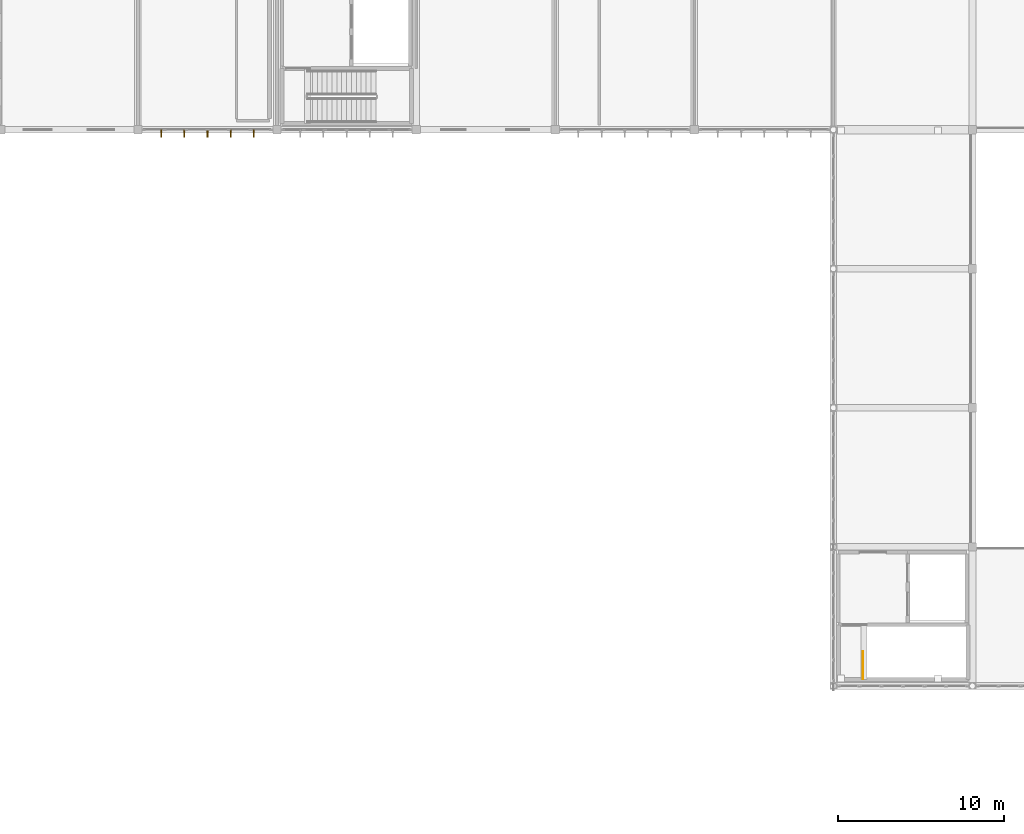
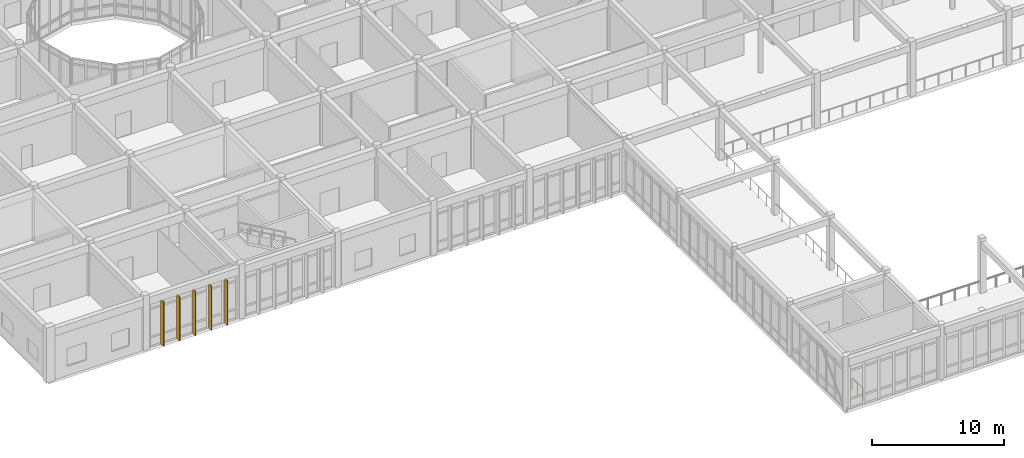
# One storey, part 115 of 134: 5 shading devices, 1 railing.
"""IFC4 building model written with IfcOpenShell, lengths in metres."""

import ifcopenshell
import ifcopenshell.guid

model = None  # the IFC model being written
_history = None  # IfcOwnerHistory: only IFC2X3 demands one
_inside = {}  # id of a spatial element -> (the spatial element, [elements in it])
_under = {}  # id of a project, library or spatial element -> (it, [spatial elements below it])
_declared = {}  # id of a project -> (the project, [libraries it declares])
_typed = {}  # id of a type object -> (the type object, [elements of that type])
_made_of = {}  # id of a material, layer set ... -> (it, [elements and type objects made of it])


def new_model(schema):
    """Start an empty IFC model of exactly this schema.

    Asked for "IFC4X3", IfcOpenShell would pick the latest addendum, in which some entities
    have other attributes; the version numbers below select the first issue.
    IFC2X3 requires an IfcOwnerHistory on every rooted entity: one is made here for all.
    """
    global model, _history
    if schema == "IFC4X3":
        model = ifcopenshell.file(schema_version=(4, 3, 0, 0))
    else:
        model = ifcopenshell.file(schema=schema)
    _inside.clear()
    _under.clear()
    _declared.clear()
    _typed.clear()
    _made_of.clear()
    _history = None
    if model.schema == "IFC2X3":
        org = make("IfcOrganization", Name="unknown")
        user = make(
            "IfcPersonAndOrganization",
            ThePerson=make("IfcPerson", FamilyName="unknown"),
            TheOrganization=org,
        )
        app = make(
            "IfcApplication",
            ApplicationDeveloper=org,
            Version="unknown",
            ApplicationFullName="unknown",
            ApplicationIdentifier="unknown",
        )
        _history = make(
            "IfcOwnerHistory",
            OwningUser=user,
            OwningApplication=app,
            ChangeAction="ADDED",
            CreationDate=0,
        )
    return model


def make(cls, **values):
    """One entity of the class cls with the attributes given. An attribute that is None is left unset."""
    return model.create_entity(
        cls, **{name: value for name, value in values.items() if value is not None}
    )


def rooted(cls, **values):
    """An entity with a GlobalId (a new one), such as an element, a storey or a relation."""
    return make(cls, GlobalId=ifcopenshell.guid.new(), OwnerHistory=_history, **values)


def si_unit(unit_type, name, prefix=None):
    """IfcSIUnit, for example si_unit("LENGTHUNIT", "METRE", prefix="MILLI")."""
    return make("IfcSIUnit", UnitType=unit_type, Prefix=prefix, Name=name)


def assignment(units):
    """IfcUnitAssignment: the units of a project."""
    return None if units is None else make("IfcUnitAssignment", Units=units)


def point(xyz):
    """IfcCartesianPoint."""
    return None if xyz is None else make("IfcCartesianPoint", Coordinates=xyz)


def direction(xyz):
    """IfcDirection."""
    return None if xyz is None else make("IfcDirection", DirectionRatios=xyz)


def frame(location, z_axis=None, x_axis=None):
    """IfcAxis2Placement3D, a coordinate frame: its origin and axes. An axis left out is left unset."""
    return make(
        "IfcAxis2Placement3D",
        Location=point(location),
        Axis=direction(z_axis),
        RefDirection=direction(x_axis),
    )


def frame_2d(location, x_axis=None):
    """IfcAxis2Placement2D, a coordinate frame in the plane: its origin and x axis."""
    return make(
        "IfcAxis2Placement2D", Location=point(location), RefDirection=direction(x_axis)
    )


def origin():
    """The frame at (0, 0, 0) with its axes left unset."""
    return frame((0.0, 0.0, 0.0))


def origin_2d():
    """The frame at (0, 0) in the plane with its x axis left unset."""
    return frame_2d((0.0, 0.0))


def place(relative_to, where):
    """IfcLocalPlacement: puts the frame where relative to a parent placement (None: the world)."""
    return make(
        "IfcLocalPlacement", PlacementRelTo=relative_to, RelativePlacement=where
    )


def context(
    kind, dimensions, precision=None, world=None, true_north=None, identifier=None
):
    """IfcGeometricRepresentationContext, for example the 3D "Model" context."""
    return make(
        "IfcGeometricRepresentationContext",
        ContextIdentifier=identifier,
        ContextType=kind,
        CoordinateSpaceDimension=dimensions,
        Precision=precision,
        WorldCoordinateSystem=world,
        TrueNorth=true_north,
    )


def subcontext(parent, identifier, kind, view, scale=None):
    """IfcGeometricRepresentationSubContext, for example "Body" below "Model"."""
    return make(
        "IfcGeometricRepresentationSubContext",
        ContextIdentifier=identifier,
        ContextType=kind,
        ParentContext=parent,
        TargetScale=scale,
        TargetView=view,
    )


def project(units=None, contexts=None):
    """IfcProject with its units and contexts."""
    return rooted(
        "IfcProject",
        Name="project",
        RepresentationContexts=contexts,
        UnitsInContext=assignment(units),
    )


def spatial(cls, under=None, at=None, **own):
    """A site, building, storey or space (cls), placed at a placement, below another one or the project."""
    s = rooted(cls, ObjectPlacement=at, **own)
    if under is not None:
        _under.setdefault(under.id(), (under, []))[1].append(s)
    return s


def profile(cls, at=None, kind="AREA", **sizes):
    """A parametric profile (cls). Its sizes go by their IFC names, for example OverallWidth=200.0."""
    return make(cls, ProfileType=kind, Position=at, **sizes)


def rectangle(**sizes):
    """IfcRectangleProfileDef."""
    return profile("IfcRectangleProfileDef", **sizes)


def circle(**sizes):
    """IfcCircleProfileDef."""
    return profile("IfcCircleProfileDef", **sizes)


def extrude(swept, where, along, depth):
    """IfcExtrudedAreaSolid: the profile swept, set in the frame where, extruded along a direction by depth."""
    return make(
        "IfcExtrudedAreaSolid",
        SweptArea=swept,
        Position=where,
        ExtrudedDirection=direction(along),
        Depth=depth,
    )


def shape(context_of_items, identifier, shape_type, items):
    """IfcShapeRepresentation: the items that make up one representation, for example the "Body"."""
    return make(
        "IfcShapeRepresentation",
        ContextOfItems=context_of_items,
        RepresentationIdentifier=identifier,
        RepresentationType=shape_type,
        Items=items,
    )


def material(Name=None, Category=None):
    """IfcMaterial."""
    return make("IfcMaterial", Name=Name, Category=Category)


def material_profile(
    of_material, cross_section, Name=None, Category=None, Priority=None
):
    """IfcMaterialProfile: a cross section and its material."""
    return make(
        "IfcMaterialProfile",
        Name=Name,
        Material=of_material,
        Profile=cross_section,
        Priority=Priority,
        Category=Category,
    )


def profile_set(profiles, Name=None, composite=None):
    """IfcMaterialProfileSet."""
    return make(
        "IfcMaterialProfileSet",
        Name=Name,
        MaterialProfiles=profiles,
        CompositeProfile=composite,
    )


def made_of(thing, what):
    """Note that an element or type object is made of a material, layer set ...; save() writes the relation."""
    if what is not None:
        _made_of.setdefault(what.id(), (what, []))[1].append(thing)
    return thing


def type_object(cls, material=None, **own):
    """A type object (cls), such as IfcWallType, which elements share."""
    return made_of(rooted(cls, **own), material)


def element(
    cls,
    number,
    at=None,
    inside=None,
    cuts=None,
    type_object=None,
    material=None,
    context=None,
    identifier="Body",
    shape_type=None,
    held_by="IfcProductDefinitionShape",
    body=None,
    shapes=None,
    **own,
):
    """One element of the class cls, such as IfcWall. Its Tag is "e" and its number.

    at: its placement. inside: the storey or other place that contains it. cuts: it is an
    opening in that element (IfcRelVoidsElement). A single representation is given by context,
    identifier, shape_type and body (its items); several are given by shapes. held_by: the class
    of the entity that holds the representations. save() writes the other relations.
    """
    e = rooted(cls, Tag="e%d" % number, ObjectPlacement=at, **own)
    if body is not None:
        shapes = [shape(context, identifier, shape_type, body)]
    if shapes is not None:
        e.Representation = make(held_by, Representations=shapes)
    if inside is not None:
        _inside.setdefault(inside.id(), (inside, []))[1].append(e)
    if cuts is not None:
        rooted(
            "IfcRelVoidsElement", RelatingBuildingElement=cuts, RelatedOpeningElement=e
        )
    if type_object is not None:
        _typed.setdefault(type_object.id(), (type_object, []))[1].append(e)
    return made_of(e, material)


def aggregate(whole, parts):
    """IfcRelAggregates: a whole, such as a stair, and the parts it consists of."""
    return rooted("IfcRelAggregates", RelatingObject=whole, RelatedObjects=parts)


def save(model, path):
    """Write the relations noted so far, then the file.

    IfcRelAggregates (storeys below a building ...), IfcRelContainedInSpatialStructure (elements
    in a storey), IfcRelDefinesByType, IfcRelAssociatesMaterial and IfcRelDeclares: one each for
    every whole, place, type object, material and project.
    """
    for whole, parts in _under.values():
        aggregate(whole, parts)
    for where, things in _inside.values():
        rooted(
            "IfcRelContainedInSpatialStructure",
            RelatedElements=things,
            RelatingStructure=where,
        )
    for kind, things in _typed.values():
        rooted("IfcRelDefinesByType", RelatedObjects=things, RelatingType=kind)
    for what, things in _made_of.values():
        rooted("IfcRelAssociatesMaterial", RelatedObjects=things, RelatingMaterial=what)
    for by, libraries in _declared.values():
        rooted("IfcRelDeclares", RelatingContext=by, RelatedDefinitions=libraries)
    model.write(path)


model = new_model("IFC4")

# Units and contexts
model_context = context("Model", 3, precision=1e-05, world=origin(), true_north=direction((0.0, 1.0)))
body_context = subcontext(model_context, "Body", "Model", "MODEL_VIEW")
ifc_project = project(units=[si_unit("LENGTHUNIT", "METRE"), si_unit("AREAUNIT", "SQUARE_METRE"), si_unit("VOLUMEUNIT", "CUBIC_METRE"), si_unit("PLANEANGLEUNIT", "RADIAN"), si_unit("MASSUNIT", "GRAM", prefix="KILO")], contexts=[model_context])

# Site, building, storey
site_placement = place(None, origin())
site = spatial("IfcSite", under=ifc_project, at=site_placement, CompositionType="ELEMENT")
building_placement = place(site_placement, origin())
building = spatial("IfcBuilding", under=site, at=building_placement, Name="Bramfleet General Hospital", CompositionType="ELEMENT")
storey_placement = place(building_placement, frame((0.0, 0.0, 9.300048828125)))
storey = spatial("IfcBuildingStorey", under=building, at=storey_placement, Name="L02", CompositionType="ELEMENT", Elevation=9.300048828125)

# Railing
ifc_material_1 = material(Name="Powder-coated steel stair balustrade", Category="steel")
railing_type = type_object("IfcRailingType", Name="RAIL-ST-GUARD", PredefinedType="GUARDRAIL", material=ifc_material_1)
railing_placement = place(storey_placement, frame((52.18994140625, 17.219970703125, 0.0)))
element("IfcRailing", 1, at=railing_placement, inside=storey, type_object=railing_type, Name="L02 ST-C1 top well guard 1", PredefinedType="GUARDRAIL", context=body_context, shape_type="SweptSolid", body=[
    extrude(circle(Radius=0.02392578125, at=origin_2d()), frame((0.0, 0.0, 1.076171875), z_axis=(0.0, 1.0, 0.0), x_axis=(-1.0, 0.0, 0.0)), (0.0, 0.0, 1.0), 1.659912109375),
    extrude(circle(Radius=0.02099609375, at=origin_2d()), origin(), (0.0, 0.0, 1.0), 1.052001953125),
    extrude(circle(Radius=0.02099609375, at=origin_2d()), frame((0.0, 0.830078125, 0.0)), (0.0, 0.0, 1.0), 1.052001953125),
    extrude(circle(Radius=0.02099609375, at=origin_2d()), frame((0.0, 1.659912109375, 0.0)), (0.0, 0.0, 1.0), 1.052001953125),
])

# Shading devices
ifc_material_2 = material(Name="Treated European larch timber", Category="wood")
ifc_material_profile = material_profile(ifc_material_2, rectangle(XDim=0.06494140625, YDim=0.449951171875, at=origin_2d()), Name="LARCH FIN 450x65")
ifc_profile_set = profile_set([ifc_material_profile], Name="Treated European larch timber")
shading_device_type = type_object("IfcShadingDeviceType", Name="SHD-FIN-450", PredefinedType="USERDEFINED", material=ifc_profile_set)
for number, where, z_axis, x_axis, name in (
    (2, (15.39990234375, 50.159912109375, -0.02001953125), (0.0, 0.0, 1.0), (-1.0, 0.0, 0.0), "L02 Larch Timber Shading Fin 514"),
    (3, (14.0, 50.159912109375, -0.02001953125), (0.0, 0.0, 1.0), (-1.0, 0.0, 0.0), "L02 Larch Timber Shading Fin 515"),
    (4, (12.60009765625, 50.159912109375, -0.02001953125), (0.0, 0.0, 1.0), (-1.0, 0.0, 0.0), "L02 Larch Timber Shading Fin 516"),
    (5, (11.199951171875, 50.159912109375, -0.02001953125), (0.0, 0.0, 1.0), (-1.0, 0.0, 0.0), "L02 Larch Timber Shading Fin 517"),
    (6, (9.800048828125, 50.159912109375, -0.02001953125), (0.0, 0.0, 1.0), (-1.0, 0.0, 0.0), "L02 Larch Timber Shading Fin 518"),
):
    element("IfcShadingDevice", number, at=place(storey_placement, frame(where, z_axis=z_axis, x_axis=x_axis)), inside=storey, type_object=shading_device_type, Name=name, ObjectType="Fin", PredefinedType="USERDEFINED", context=body_context, shape_type="SweptSolid", body=[
        extrude(rectangle(XDim=0.06494140625, YDim=0.449951171875, at=origin_2d()), origin(), (0.0, 0.0, 1.0), 4.099853515625),
    ])

save(model, "model.ifc")
